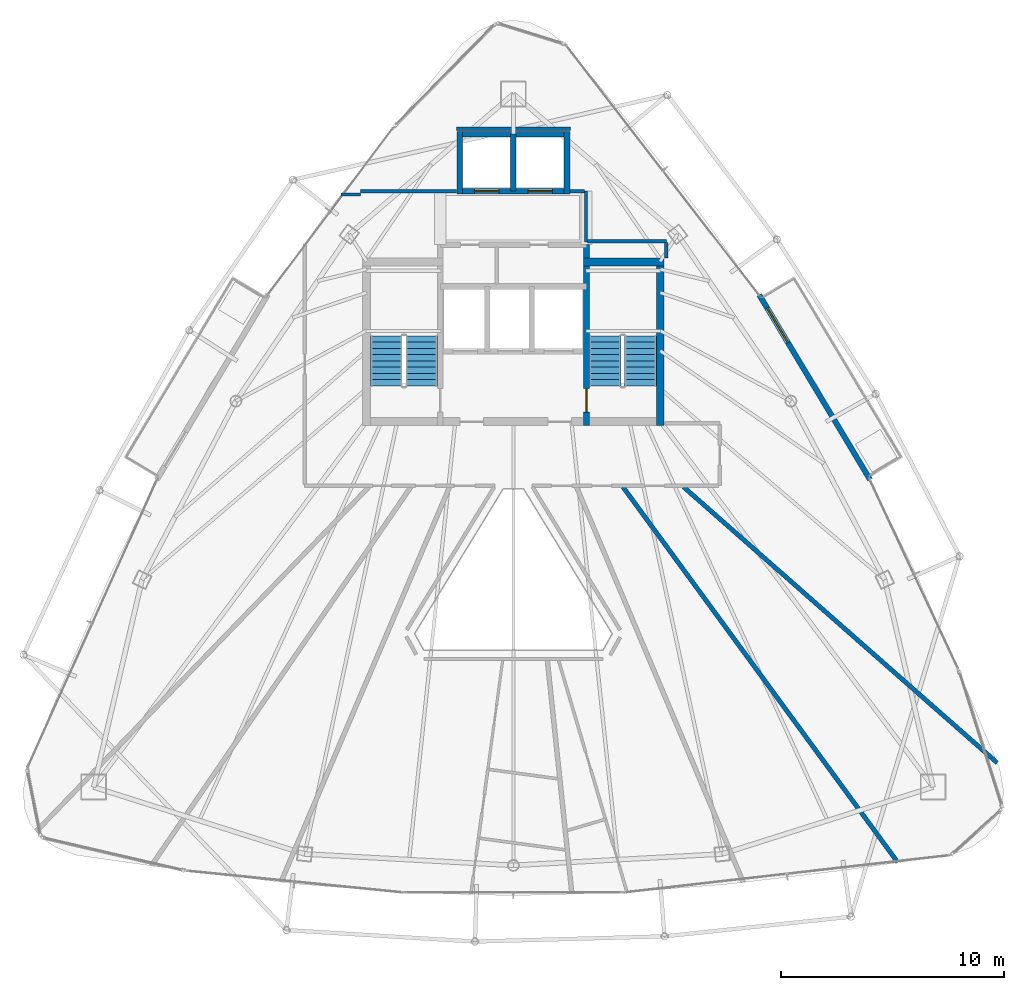
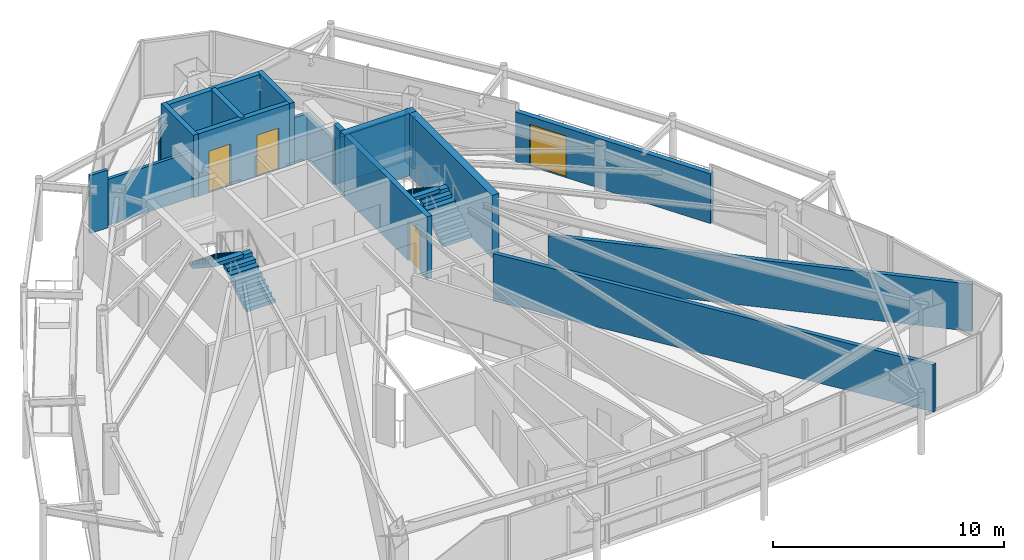
# One storey, part 26 of 28: 18 walls, 4 doors, 4 stair flights, 4 openings, 2 elements without a shape of their own.
"""IFC4 building model written with IfcOpenShell, lengths in metres."""

from ifc_helpers import new_model, si_unit, direction, frame, frame_2d, origin, place, context, subcontext, project, spatial, polyline, rectangle, outline, extrude, material, layer, layer_set, type_object, element, fill, aggregate, save


model = new_model("IFC4")

# Units and contexts
model_context = context("Model", 3, precision=1e-05, world=origin(), true_north=direction((0.0, 1.0)))
body_context = subcontext(model_context, "Body", "Model", "MODEL_VIEW")
ifc_project = project(units=[si_unit("LENGTHUNIT", "METRE"), si_unit("AREAUNIT", "SQUARE_METRE"), si_unit("VOLUMEUNIT", "CUBIC_METRE"), si_unit("PLANEANGLEUNIT", "RADIAN"), si_unit("MASSUNIT", "GRAM", prefix="KILO")], contexts=[model_context])

# Site, building, storey
site_placement = place(None, origin())
site = spatial("IfcSite", under=ifc_project, at=site_placement, CompositionType="ELEMENT")
building_placement = place(site_placement, origin())
building = spatial("IfcBuilding", under=site, at=building_placement, Name="Orvanel Arch Residences", CompositionType="ELEMENT")
storey_placement = place(building_placement, frame((0.0, 0.0, 260.14990234375)))
storey = spatial("IfcBuildingStorey", under=building, at=storey_placement, Name="L74", CompositionType="ELEMENT", Elevation=260.14990234375)

# Wall, opening, door
ifc_material_1 = material(Name="Precast concrete N50 (50 MPa)", Category="concrete")
ifc_layer_1 = layer(ifc_material_1, 0.239990234375)
ifc_layer_set_1 = layer_set([ifc_layer_1], Name="Precast concrete N50 (50 MPa)")
wall_type_1 = type_object("IfcWallType", Name="EW-BAL-240", PredefinedType="SOLIDWALL", material=ifc_layer_set_1)
wall_1_placement = place(storey_placement, frame((48.97998046875, 24.1220703125, 0.0), z_axis=(0.0, 0.0, 1.0), x_axis=(-0.514361929684, 0.857573206958, 0.0)))
wall_1 = element("IfcWall", 1, at=wall_1_placement, inside=storey, type_object=wall_type_1, Name="L74 Balcony Threshold Wall Face 3", PredefinedType="SOLIDWALL", context=body_context, shape_type="SweptSolid", body=[
    extrude(rectangle(XDim=9.65869140625, YDim=0.239990234375, at=frame_2d((4.829345703125, 0.0))), origin(), (0.0, 0.0, 1.0), 2.6240234375),
])
opening_1_placement = place(wall_1_placement, frame((7.162109375, 0.0, 0.0)))
opening_1 = element("IfcOpeningElement", 2, at=opening_1_placement, cuts=wall_1, Name="Opening DB-180", PredefinedType="OPENING", context=body_context, shape_type="SweptSolid", body=[
    extrude(rectangle(XDim=1.800048828125, YDim=2.199951171875, at=frame_2d((0.89990234375, 1.10009765625))), frame((0.0, 0.1298828125, 0.0), z_axis=(0.0, -1.0, 0.0), x_axis=(1.0, 0.0, 0.0)), (0.0, 0.0, 1.0), 0.260009765625),
])
ifc_material_2 = material(Name="Bronze-anodised aluminium AA6063-T6", Category="aluminium")
door_type_1 = type_object("IfcDoorType", Name="DR-BAL-1800", OperationType="NOTDEFINED", PredefinedType="DOOR", material=ifc_material_2)
door_1_placement = place(opening_1_placement, origin())
door_1 = element("IfcDoor", 3, at=door_1_placement, inside=storey, type_object=door_type_1, Name="DR-L74-BAL-F3 L74 Planted Balcony Access Door Face 3", OperationType="SINGLE_SWING_RIGHT", OverallHeight=2.199951171875, OverallWidth=1.800048828125, PredefinedType="DOOR", context=body_context, shape_type="SweptSolid", body=[
    extrude(rectangle(XDim=1.800048828125, YDim=2.199951171875, at=frame_2d((0.89990234375, 1.10009765625))), frame((0.0, 0.02490234375, 0.0), z_axis=(0.0, -1.0, 0.0), x_axis=(1.0, 0.0, 0.0)), (0.0, 0.0, 1.0), 0.050048828125),
])
fill(opening_1, door_1)

ifc_material_3 = material(Name="Concrete N50 (50 MPa)", Category="concrete")
ifc_layer_2 = layer(ifc_material_3, 0.25)
ifc_layer_set_2 = layer_set([ifc_layer_2], Name="Concrete N50 (50 MPa)")
wall_type_2 = type_object("IfcWallType", Name="SW-CORE-250", PredefinedType="SHEAR", material=ifc_layer_set_2)
wall_2_placement = place(storey_placement, frame((36.27490234375, 26.550048828125, 0.0), z_axis=(0.0, 0.0, 1.0), x_axis=(0.0, 1.0, 0.0)))
wall_2 = element("IfcWall", 4, at=wall_2_placement, inside=storey, type_object=wall_type_2, Name="L74 East Inner Core Spine Shear Wall", PredefinedType="SHEAR", context=body_context, shape_type="SweptSolid", body=[
    extrude(rectangle(XDim=8.099853515625, YDim=0.25, at=frame_2d((4.0498046875, 0.0))), origin(), (0.0, 0.0, 1.0), 3.300048828125),
])
opening_2_placement = place(wall_2_placement, frame((0.60009765625, 0.0, 0.0)))
opening_2 = element("IfcOpeningElement", 5, at=opening_2_placement, cuts=wall_2, Name="Opening DF-120", PredefinedType="OPENING", context=body_context, shape_type="SweptSolid", body=[
    extrude(rectangle(XDim=1.050048828125, YDim=2.14990234375, at=frame_2d((0.52490234375, 1.074951171875))), frame((0.0, 0.135009765625, 0.0), z_axis=(0.0, -1.0, 0.0), x_axis=(1.0, 0.0, 0.0)), (0.0, 0.0, 1.0), 0.27001953125),
])
ifc_material_4 = material(Name="Galvanised steel fire-resisting door assembly", Category="steel")
door_type_2 = type_object("IfcDoorType", Name="DR-FD120-1050", OperationType="NOTDEFINED", PredefinedType="DOOR", material=ifc_material_4)
door_2_placement = place(opening_2_placement, origin())
door_2 = element("IfcDoor", 6, at=door_2_placement, inside=storey, type_object=door_type_2, Name="DR-L74-ST2 L74 Stair 2 Fire Door", OperationType="SINGLE_SWING_RIGHT", OverallHeight=2.14990234375, OverallWidth=1.050048828125, PredefinedType="DOOR", context=body_context, shape_type="SweptSolid", body=[
    extrude(rectangle(XDim=1.050048828125, YDim=2.14990234375, at=frame_2d((0.52490234375, 1.074951171875))), frame((0.0, 0.02490234375, 0.0), z_axis=(0.0, -1.0, 0.0), x_axis=(1.0, 0.0, 0.0)), (0.0, 0.0, 1.0), 0.050048828125),
])
fill(opening_2, door_2)

# Wall, openings, doors
wall_3_placement = place(storey_placement, frame((35.52490234375, 37.050048828125, 0.0), z_axis=(0.0, 0.0, 1.0), x_axis=(-1.0, 0.0, 0.0)))
wall_3 = element("IfcWall", 7, at=wall_3_placement, inside=storey, type_object=wall_type_2, Name="L74 Passenger Lift Bank Front Shear Wall", PredefinedType="SHEAR", context=body_context, shape_type="SweptSolid", body=[
    extrude(rectangle(XDim=5.0498046875, YDim=0.25, at=frame_2d((2.52490234375, 0.0))), origin(), (0.0, 0.0, 1.0), 3.300048828125),
])
opening_3_placement = place(wall_3_placement, frame((3.175048828125, 0.0, 0.0)))
opening_3 = element("IfcOpeningElement", 8, at=opening_3_placement, cuts=wall_3, Name="Opening LD-110", PredefinedType="OPENING", context=body_context, shape_type="SweptSolid", body=[
    extrude(rectangle(XDim=1.10009765625, YDim=2.199951171875, at=frame_2d((0.550048828125, 1.10009765625))), frame((0.0, 0.135009765625, 0.0), z_axis=(0.0, -1.0, 0.0), x_axis=(1.0, 0.0, 0.0)), (0.0, 0.0, 1.0), 0.27001953125),
])
opening_4_placement = place(wall_3_placement, frame((0.77490234375, 0.0, 0.0)))
opening_4 = element("IfcOpeningElement", 9, at=opening_4_placement, cuts=wall_3, Name="Opening LD-110", PredefinedType="OPENING", context=body_context, shape_type="SweptSolid", body=[
    extrude(rectangle(XDim=1.10009765625, YDim=2.199951171875, at=frame_2d((0.550048828125, 1.10009765625))), frame((0.0, 0.135009765625, 0.0), z_axis=(0.0, -1.0, 0.0), x_axis=(1.0, 0.0, 0.0)), (0.0, 0.0, 1.0), 0.27001953125),
])
door_type_3 = type_object("IfcDoorType", Name="DR-LFT-1100", OperationType="NOTDEFINED", PredefinedType="DOOR", material=ifc_material_4)
door_3_placement = place(opening_3_placement, origin())
door_3 = element("IfcDoor", 10, at=door_3_placement, inside=storey, type_object=door_type_3, Name="LD-P5-L74 L74 Passenger Lift P5 Sliding Landing Door", OperationType="DOUBLE_DOOR_SLIDING", OverallHeight=2.199951171875, OverallWidth=1.10009765625, PredefinedType="DOOR", context=body_context, shape_type="SweptSolid", body=[
    extrude(rectangle(XDim=1.10009765625, YDim=2.199951171875, at=frame_2d((0.550048828125, 1.10009765625))), frame((0.0, 0.02490234375, 0.0), z_axis=(0.0, -1.0, 0.0), x_axis=(1.0, 0.0, 0.0)), (0.0, 0.0, 1.0), 0.050048828125),
])
fill(opening_3, door_3)
door_4_placement = place(opening_4_placement, origin())
door_4 = element("IfcDoor", 11, at=door_4_placement, inside=storey, type_object=door_type_3, Name="LD-P6-L74 L74 Passenger Lift P6 Sliding Landing Door", OperationType="DOUBLE_DOOR_SLIDING", OverallHeight=2.199951171875, OverallWidth=1.10009765625, PredefinedType="DOOR", context=body_context, shape_type="SweptSolid", body=[
    extrude(rectangle(XDim=1.10009765625, YDim=2.199951171875, at=frame_2d((0.550048828125, 1.10009765625))), frame((0.0, 0.02490234375, 0.0), z_axis=(0.0, -1.0, 0.0), x_axis=(1.0, 0.0, 0.0)), (0.0, 0.0, 1.0), 0.050048828125),
])
fill(opening_4, door_4)

# Walls
wall_4_placement = place(storey_placement, frame((30.47509765625, 39.60009765625, 0.0), z_axis=(0.0, 0.0, 1.0), x_axis=(1.0, 0.0, 0.0)))
element("IfcWall", 12, at=wall_4_placement, inside=storey, type_object=wall_type_2, Name="L74 Passenger Lift Bank North Shear Wall", PredefinedType="SHEAR", context=body_context, shape_type="SweptSolid", body=[
    extrude(rectangle(XDim=5.0498046875, YDim=0.25, at=frame_2d((2.52490234375, 0.0))), origin(), (0.0, 0.0, 1.0), 3.300048828125),
])
for number, where, z_axis, x_axis, name in (
    (13, (30.60009765625, 36.925048828125, 0.0), (0.0, 0.0, 1.0), (0.0, 1.0, 0.0), "L74 Passenger Lift Bank West Shear Wall"),
    (14, (35.39990234375, 36.925048828125, 0.0), (0.0, 0.0, 1.0), (0.0, 1.0, 0.0), "L74 Passenger Lift Bank East Shear Wall"),
):
    element("IfcWall", number, at=place(storey_placement, frame(where, z_axis=z_axis, x_axis=x_axis)), inside=storey, type_object=wall_type_2, Name=name, PredefinedType="SHEAR", context=body_context, shape_type="SweptSolid", body=[
        extrude(rectangle(XDim=2.800048828125, YDim=0.25, at=frame_2d((1.39990234375, 0.0))), origin(), (0.0, 0.0, 1.0), 3.300048828125),
    ])
wall_5_placement = place(storey_placement, frame((33.0, 37.050048828125, 0.0), z_axis=(0.0, 0.0, 1.0), x_axis=(0.0, 1.0, 0.0)))
element("IfcWall", 15, at=wall_5_placement, inside=storey, type_object=wall_type_2, Name="L74 Passenger Lift Inter-Shaft Wall P56", PredefinedType="SHEAR", context=body_context, shape_type="SweptSolid", body=[
    extrude(rectangle(XDim=2.550048828125, YDim=0.25, at=frame_2d((1.27490234375, 0.0))), origin(), (0.0, 0.0, 1.0), 3.300048828125),
])
ifc_layer_3 = layer(ifc_material_3, 0.35009765625)
ifc_layer_set_3 = layer_set([ifc_layer_3], Name="Concrete N50 (50 MPa)")
wall_type_3 = type_object("IfcWallType", Name="SW-CORE-350", PredefinedType="SHEAR", material=ifc_layer_set_3)
wall_6_placement = place(storey_placement, frame((39.574951171875, 26.550048828125, 0.0), z_axis=(0.0, 0.0, 1.0), x_axis=(0.0, 1.0, 0.0)))
element("IfcWall", 16, at=wall_6_placement, inside=storey, type_object=wall_type_3, Name="L74 East Stair Shear Wall", PredefinedType="SHEAR", context=body_context, shape_type="SweptSolid", body=[
    extrude(rectangle(XDim=7.5, YDim=0.35009765625, at=frame_2d((3.75, 0.0))), origin(), (0.0, 0.0, 1.0), 3.300048828125),
])
wall_7_placement = place(storey_placement, frame((36.14990234375, 33.875, 0.0), z_axis=(0.0, 0.0, 1.0), x_axis=(1.0, 0.0, 0.0)))
element("IfcWall", 17, at=wall_7_placement, inside=storey, type_object=wall_type_3, Name="L74 East Stair North Shear Wall", PredefinedType="SHEAR", context=body_context, shape_type="SweptSolid", body=[
    extrude(rectangle(XDim=3.60009765625, YDim=0.35009765625, at=frame_2d((1.800048828125, 0.0))), origin(), (0.0, 0.0, 1.0), 3.300048828125),
])
ifc_material_5 = material(Name="Fire-rated plasterboard lined steel stud partition", Category="steel")
ifc_layer_4 = layer(ifc_material_5, 0.14990234375)
ifc_layer_set_4 = layer_set([ifc_layer_4], Name="Fire-rated plasterboard lined steel stud partition")
wall_type_4 = type_object("IfcWallType", Name="W-COR-150", PredefinedType="PARTITIONING", material=ifc_layer_set_4)
wall_8_placement = place(storey_placement, frame((36.25, 34.760009765625, 0.0), z_axis=(0.0, 0.0, 1.0), x_axis=(0.0, 1.0, 0.0)))
element("IfcWall", 18, at=wall_8_placement, inside=storey, type_object=wall_type_4, Name="L74 Passenger Lift Lobby East Closure Wall", PredefinedType="PARTITIONING", context=body_context, shape_type="SweptSolid", body=[
    extrude(rectangle(XDim=2.2900390625, YDim=0.14990234375, at=frame_2d((1.14501953125, 0.0))), origin(), (0.0, 0.0, 1.0), 2.425048828125),
])
wall_9_placement = place(storey_placement, frame((35.52490234375, 37.050048828125, 0.0), z_axis=(0.0, 0.0, 1.0), x_axis=(1.0, 0.0, 0.0)))
element("IfcWall", 19, at=wall_9_placement, inside=storey, type_object=wall_type_4, Name="L74 Passenger Lift Lobby North-East Wall", PredefinedType="PARTITIONING", context=body_context, shape_type="SweptSolid", body=[
    extrude(rectangle(XDim=0.6650390625, YDim=0.14990234375, at=frame_2d((0.33251953125, 0.0))), origin(), (0.0, 0.0, 1.0), 2.425048828125),
])
wall_10_placement = place(storey_placement, frame((25.26708984375, 36.89990234375, 0.0), z_axis=(0.0, 0.0, 1.0), x_axis=(1.0, 0.0, 0.0)))
element("IfcWall", 20, at=wall_10_placement, inside=storey, type_object=wall_type_4, Name="L74 Corridor Fire-Rated Partition", PredefinedType="PARTITIONING", context=body_context, shape_type="SweptSolid", body=[
    extrude(rectangle(XDim=0.8828125, YDim=0.14990234375, at=frame_2d((0.44140625, 0.0))), origin(), (0.0, 0.0, 1.0), 3.06005859375),
])
wall_11_placement = place(storey_placement, frame((26.14990234375, 37.050048828125, 0.0), z_axis=(0.0, 0.0, 1.0), x_axis=(1.0, 0.0, 0.0)))
element("IfcWall", 21, at=wall_11_placement, inside=storey, type_object=wall_type_4, Name="L74 Core Perimeter Partition", PredefinedType="PARTITIONING", context=body_context, shape_type="SweptSolid", body=[
    extrude(rectangle(XDim=4.300048828125, YDim=0.14990234375, at=frame_2d((2.14990234375, 0.0))), origin(), (0.0, 0.0, 1.0), 2.425048828125),
])
wall_12_placement = place(storey_placement, frame((30.449951171875, 39.85009765625, 0.0), z_axis=(0.0, 0.0, 1.0), x_axis=(1.0, 0.0, 0.0)))
element("IfcWall", 22, at=wall_12_placement, inside=storey, type_object=wall_type_4, Name="L74 Core Perimeter Partition", PredefinedType="PARTITIONING", context=body_context, shape_type="SweptSolid", body=[
    extrude(rectangle(XDim=5.10009765625, YDim=0.14990234375, at=frame_2d((2.550048828125, 0.0))), origin(), (0.0, 0.0, 1.0), 2.4921875),
])
wall_13_placement = place(storey_placement, frame((36.31005859375, 34.800048828125, 0.0), z_axis=(0.0, 0.0, 1.0), x_axis=(1.0, 0.0, 0.0)))
element("IfcWall", 23, at=wall_13_placement, inside=storey, type_object=wall_type_4, Name="L74 Core Perimeter Partition", PredefinedType="PARTITIONING", context=body_context, shape_type="SweptSolid", body=[
    extrude(rectangle(XDim=3.5400390625, YDim=0.14990234375, at=frame_2d((1.77001953125, 0.0))), origin(), (0.0, 0.0, 1.0), 2.425048828125),
])
wall_14_placement = place(storey_placement, frame((39.85009765625, 34.739990234375, 0.0), z_axis=(0.0, 0.0, 1.0), x_axis=(0.0, -1.0, 0.0)))
element("IfcWall", 24, at=wall_14_placement, inside=storey, type_object=wall_type_4, Name="L74 Core Perimeter Partition", PredefinedType="PARTITIONING", context=body_context, shape_type="SweptSolid", body=[
    extrude(rectangle(XDim=0.68994140625, YDim=0.14990234375, at=frame_2d((0.344970703125, 0.0))), origin(), (0.0, 0.0, 1.0), 2.773193359375),
])
ifc_layer_5 = layer(ifc_material_5, 0.199951171875)
ifc_layer_set_5 = layer_set([ifc_layer_5], Name="Fire-rated plasterboard lined steel stud partition")
wall_type_5 = type_object("IfcWallType", Name="W-DEM-200", PredefinedType="PARTITIONING", material=ifc_layer_set_5)
wall_15_placement = place(storey_placement, frame((54.673095703125, 11.43798828125, 0.0), z_axis=(0.0, 0.0, 1.0), x_axis=(-0.750894752688, 0.660421888179, 0.0)))
element("IfcWall", 25, at=wall_15_placement, inside=storey, type_object=wall_type_5, Name="L74 Inter-Tenancy Acoustic Demising Wall", PredefinedType="PARTITIONING", context=body_context, shape_type="SweptSolid", body=[
    extrude(rectangle(XDim=18.703369140625, YDim=0.199951171875, at=frame_2d((9.3515625, 0.0))), origin(), (0.0, 0.0, 1.0), 2.4921875),
])
wall_16_placement = place(storey_placement, frame((50.219970703125, 6.97607421875, 0.0), z_axis=(0.0, 0.0, 1.0), x_axis=(-0.59066502199, 0.80691686796, 0.0)))
element("IfcWall", 26, at=wall_16_placement, inside=storey, type_object=wall_type_5, Name="L74 Inter-Tenancy Acoustic Demising Wall", PredefinedType="PARTITIONING", context=body_context, shape_type="SweptSolid", body=[
    extrude(rectangle(XDim=20.83740234375, YDim=0.199951171875, at=frame_2d((10.418701171875, 0.0))), origin(), (0.0, 0.0, 1.0), 2.4921875),
])

# Stair, stair flights
stair_type = type_object("IfcStairType", Name="STR-DOG-184", PredefinedType="USERDEFINED", material=ifc_material_1)
stair_1_placement = place(storey_placement, origin())
stair_1 = element("IfcStair", 27, at=stair_1_placement, inside=storey, type_object=stair_type, Name="L74 Fire-Isolated Core Exit Stair 1", ObjectType="TWO_RETURN_STAIR", PredefinedType="USERDEFINED")
stair_flight_type_1 = type_object("IfcStairFlightType", Name="SFL-C1-184", PredefinedType="STRAIGHT", material=ifc_material_1)
stair_flight_1_placement = place(storey_placement, frame((28.889892578125, 28.320068359375, 0.0), z_axis=(0.0, 0.0, 1.0), x_axis=(0.0, 1.0, 0.0)))
stair_flight_1 = element("IfcStairFlight", 28, at=stair_flight_1_placement, type_object=stair_flight_type_1, Name="ST-1 flight 1", NumberOfRisers=9, NumberOfTreads=8, PredefinedType="STRAIGHT", RiserHeight=0.183333333, TreadLength=0.28, context=body_context, shape_type="SweptSolid", body=[
    extrude(outline(polyline([(0.0, 0.0), (0.0, 0.183349609375), (0.280029296875, 0.183349609375), (0.280029296875, 0.36669921875), (0.56005859375, 0.36669921875), (0.56005859375, 0.550048828125), (0.840087890625, 0.550048828125), (0.840087890625, 0.7333984375), (1.1201171875, 0.7333984375), (1.1201171875, 0.916748046875), (1.39990234375, 0.916748046875), (1.39990234375, 1.10009765625), (1.679931640625, 1.10009765625), (1.679931640625, 1.283447265625), (1.9599609375, 1.283447265625), (1.9599609375, 1.466552734375), (2.239990234375, 1.466552734375), (2.239990234375, 1.64990234375), (2.239990234375, 1.28759765625), (0.273681640625, 0.0), (0.0, 0.0)])), frame((0.0, 0.7099609375, 0.0), z_axis=(0.0, -1.0, 0.0), x_axis=(1.0, 0.0, 0.0)), (0.0, 0.0, 1.0), 1.419921875),
])
stair_flight_2_placement = place(storey_placement, frame((27.31005859375, 30.56005859375, 1.650146484375), z_axis=(0.0, 0.0, 1.0), x_axis=(0.0, -1.0, 0.0)))
stair_flight_2 = element("IfcStairFlight", 29, at=stair_flight_2_placement, type_object=stair_flight_type_1, Name="ST-1 flight 2", NumberOfRisers=9, NumberOfTreads=8, PredefinedType="STRAIGHT", RiserHeight=0.183333333, TreadLength=0.28, context=body_context, shape_type="SweptSolid", body=[
    extrude(outline(polyline([(0.0, 0.0), (0.0, 0.183349609375), (0.280029296875, 0.183349609375), (0.280029296875, 0.36669921875), (0.56005859375, 0.36669921875), (0.56005859375, 0.550048828125), (0.840087890625, 0.550048828125), (0.840087890625, 0.7333984375), (1.1201171875, 0.7333984375), (1.1201171875, 0.916748046875), (1.39990234375, 0.916748046875), (1.39990234375, 1.10009765625), (1.679931640625, 1.10009765625), (1.679931640625, 1.283447265625), (1.9599609375, 1.283447265625), (1.9599609375, 1.466552734375), (2.239990234375, 1.466552734375), (2.239990234375, 1.64990234375), (2.239990234375, 1.28759765625), (0.273681640625, 0.0), (0.0, 0.0)])), frame((0.0, 0.7099609375, 0.0), z_axis=(0.0, -1.0, 0.0), x_axis=(1.0, 0.0, 0.0)), (0.0, 0.0, 1.0), 1.419921875),
])
aggregate(stair_1, [stair_flight_1, stair_flight_2])

stair_2_placement = place(storey_placement, origin())
stair_2 = element("IfcStair", 30, at=stair_2_placement, inside=storey, type_object=stair_type, Name="L74 Fire-Isolated Core Exit Stair 2", ObjectType="TWO_RETURN_STAIR", PredefinedType="USERDEFINED")
stair_flight_type_2 = type_object("IfcStairFlightType", Name="SFL-C2-184", PredefinedType="STRAIGHT", material=ifc_material_1)
stair_flight_3_placement = place(storey_placement, frame((38.68994140625, 28.320068359375, 0.0), z_axis=(0.0, 0.0, 1.0), x_axis=(0.0, 1.0, 0.0)))
stair_flight_3 = element("IfcStairFlight", 31, at=stair_flight_3_placement, type_object=stair_flight_type_2, Name="ST-2 flight 1", NumberOfRisers=9, NumberOfTreads=8, PredefinedType="STRAIGHT", RiserHeight=0.183333333, TreadLength=0.28, context=body_context, shape_type="SweptSolid", body=[
    extrude(outline(polyline([(0.0, 0.0), (0.0, 0.183349609375), (0.280029296875, 0.183349609375), (0.280029296875, 0.36669921875), (0.56005859375, 0.36669921875), (0.56005859375, 0.550048828125), (0.840087890625, 0.550048828125), (0.840087890625, 0.7333984375), (1.1201171875, 0.7333984375), (1.1201171875, 0.916748046875), (1.39990234375, 0.916748046875), (1.39990234375, 1.10009765625), (1.679931640625, 1.10009765625), (1.679931640625, 1.283447265625), (1.9599609375, 1.283447265625), (1.9599609375, 1.466552734375), (2.239990234375, 1.466552734375), (2.239990234375, 1.64990234375), (2.239990234375, 1.28759765625), (0.273681640625, 0.0), (0.0, 0.0)])), frame((0.0, 0.7099609375, 0.0), z_axis=(0.0, -1.0, 0.0), x_axis=(1.0, 0.0, 0.0)), (0.0, 0.0, 1.0), 1.419921875),
])
stair_flight_4_placement = place(storey_placement, frame((37.110107421875, 30.56005859375, 1.650146484375), z_axis=(0.0, 0.0, 1.0), x_axis=(0.0, -1.0, 0.0)))
stair_flight_4 = element("IfcStairFlight", 32, at=stair_flight_4_placement, type_object=stair_flight_type_2, Name="ST-2 flight 2", NumberOfRisers=9, NumberOfTreads=8, PredefinedType="STRAIGHT", RiserHeight=0.183333333, TreadLength=0.28, context=body_context, shape_type="SweptSolid", body=[
    extrude(outline(polyline([(0.0, 0.0), (0.0, 0.183349609375), (0.280029296875, 0.183349609375), (0.280029296875, 0.36669921875), (0.56005859375, 0.36669921875), (0.56005859375, 0.550048828125), (0.840087890625, 0.550048828125), (0.840087890625, 0.7333984375), (1.1201171875, 0.7333984375), (1.1201171875, 0.916748046875), (1.39990234375, 0.916748046875), (1.39990234375, 1.10009765625), (1.679931640625, 1.10009765625), (1.679931640625, 1.283447265625), (1.9599609375, 1.283447265625), (1.9599609375, 1.466552734375), (2.239990234375, 1.466552734375), (2.239990234375, 1.64990234375), (2.239990234375, 1.28759765625), (0.273681640625, 0.0), (0.0, 0.0)])), frame((0.0, 0.7099609375, 0.0), z_axis=(0.0, -1.0, 0.0), x_axis=(1.0, 0.0, 0.0)), (0.0, 0.0, 1.0), 1.419921875),
])
aggregate(stair_2, [stair_flight_3, stair_flight_4])

save(model, "model.ifc")
